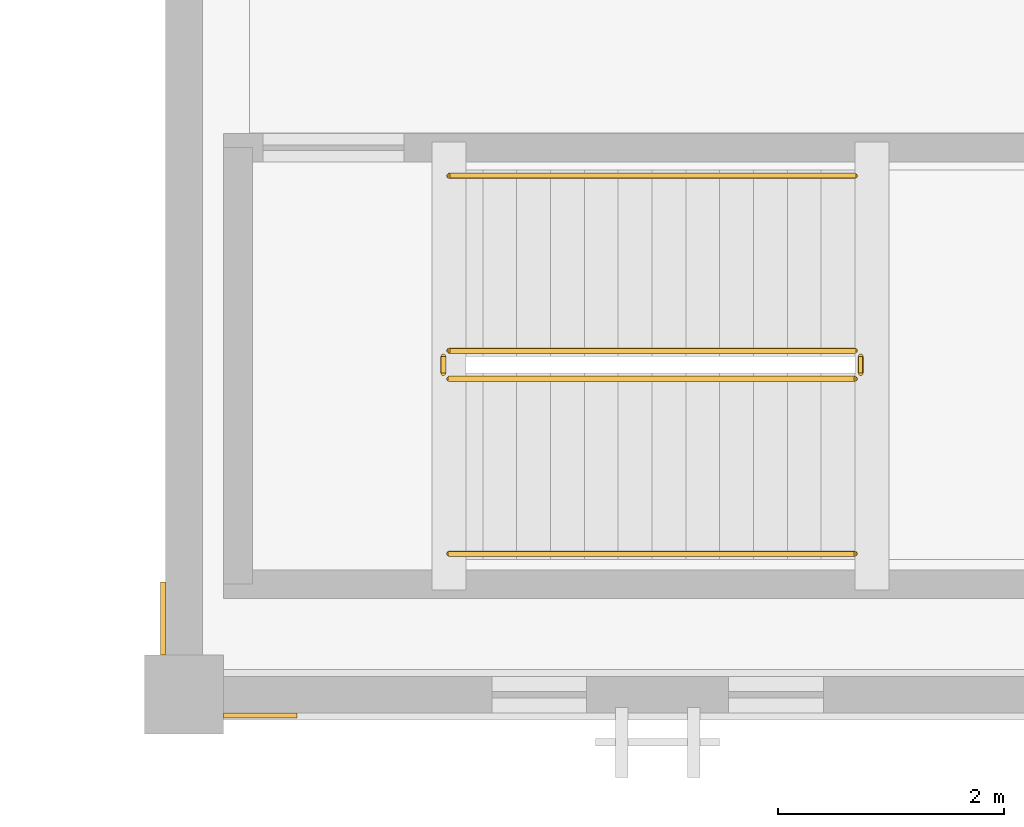
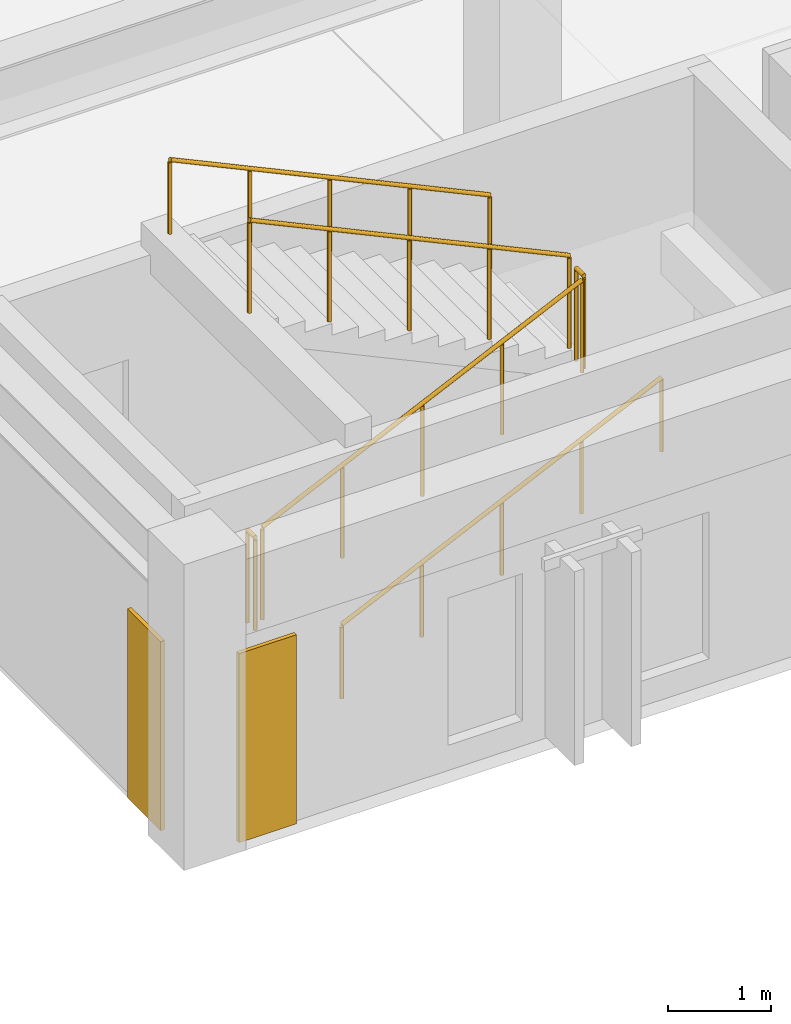
# One storey, part 110 of 118: 6 railings, 2 coverings.
"""IFC4 building model written with IfcOpenShell, lengths in metres."""

from ifc_helpers import new_model, si_unit, direction, frame, origin, origin_2d, place, context, subcontext, project, spatial, polyline, circle, outline, extrude, material, layer, layer_set, type_object, element, save


model = new_model("IFC4")

# Units and contexts
model_context = context("Model", 3, precision=1e-05, world=origin(), true_north=direction((0.0, 1.0)))
body_context = subcontext(model_context, "Body", "Model", "MODEL_VIEW")
ifc_project = project(units=[si_unit("LENGTHUNIT", "METRE"), si_unit("AREAUNIT", "SQUARE_METRE"), si_unit("VOLUMEUNIT", "CUBIC_METRE"), si_unit("PLANEANGLEUNIT", "RADIAN"), si_unit("MASSUNIT", "GRAM", prefix="KILO")], contexts=[model_context])

# Site, building, storey
site_placement = place(None, origin())
site = spatial("IfcSite", under=ifc_project, at=site_placement, CompositionType="ELEMENT")
building_placement = place(site_placement, origin())
building = spatial("IfcBuilding", under=site, at=building_placement, Name="Cumbredor Promenade Congress Hotel", CompositionType="ELEMENT")
storey_placement = place(building_placement, frame((0.0, 0.0, 3.919921875)))
storey = spatial("IfcBuildingStorey", under=building, at=storey_placement, Name="L01", CompositionType="ELEMENT", Elevation=3.919921875)

# Coverings
ifc_material_1 = material(Name="Precast concrete C40/50", Category="concrete")
ifc_layer = layer(ifc_material_1, 0.044921875, Name="Precast concrete C40/50", Category="concrete")
ifc_layer_set = layer_set([ifc_layer], Name="Precast concrete C40/50")
covering_type = type_object("IfcCoveringType", Name="Board-Formed Architectural Cladding Panel 45mm", PredefinedType="CLADDING", material=ifc_layer_set)
covering_1_placement = place(storey_placement, origin())
element("IfcCovering", 1, at=covering_1_placement, inside=storey, type_object=covering_type, Name="L01 Facade Stone Cladding Pier 054", PredefinedType="CLADDING", context=body_context, shape_type="SweptSolid", body=[
    extrude(outline(polyline([(143.15087890625, 8.237548828125), (143.801025390625, 8.237548828125), (143.801025390625, 8.1923828125), (143.15087890625, 8.1923828125), (143.15087890625, 8.237548828125)])), origin(), (0.0, 0.0, 1.0), 2.25),
])
covering_2_placement = place(storey_placement, origin())
element("IfcCovering", 2, at=covering_2_placement, inside=storey, type_object=covering_type, Name="L01 Facade Stone Cladding Pier 058", PredefinedType="CLADDING", context=body_context, shape_type="SweptSolid", body=[
    extrude(outline(polyline([(142.637451171875, 8.7509765625), (142.637451171875, 9.40087890625), (142.592529296875, 9.40087890625), (142.592529296875, 8.7509765625), (142.637451171875, 8.7509765625)])), origin(), (0.0, 0.0, 1.0), 2.25),
])

# Railings
ifc_material_2 = material(Name="Brushed stainless steel", Category="steel")
railing_type_1 = type_object("IfcRailingType", Name="Interior Void & Stair Guardrail GR-1100", PredefinedType="GUARDRAIL", material=ifc_material_2)
railing_1_placement = place(storey_placement, frame((145.14990234375, 11.199951171875, 0.14013671875)))
element("IfcRailing", 3, at=railing_1_placement, inside=storey, type_object=railing_type_1, Name="L01 ST-08 stair guard 1", PredefinedType="GUARDRAIL", context=body_context, shape_type="SweptSolid", body=[
    extrude(circle(Radius=0.02392578125, at=origin_2d()), frame((0.0, 0.0, 1.09619140625), z_axis=(0.906194129559, 0.0, 0.422861915468), x_axis=(0.0, 1.0, 0.0)), (0.0, 0.0, 1.0), 3.97265625),
    extrude(circle(Radius=0.02099609375, at=origin_2d()), origin(), (0.0, 0.0, 1.0), 1.072021484375),
    extrude(circle(Radius=0.02099609375, at=origin_2d()), frame((0.89990234375, 0.0, 0.419921875)), (0.0, 0.0, 1.0), 1.072021484375),
    extrude(circle(Radius=0.02099609375, at=origin_2d()), frame((1.800048828125, 0.0, 0.83984375)), (0.0, 0.0, 1.0), 1.072021484375),
    extrude(circle(Radius=0.02099609375, at=origin_2d()), frame((2.7001953125, 0.0, 1.260009765625)), (0.0, 0.0, 1.0), 1.072021484375),
    extrude(circle(Radius=0.02099609375, at=origin_2d()), frame((3.60009765625, 0.0, 1.679931640625)), (0.0, 0.0, 1.0), 1.072021484375),
])
railing_2_placement = place(storey_placement, frame((148.800048828125, 11.25, 1.820068359375)))
element("IfcRailing", 4, at=railing_2_placement, inside=storey, type_object=railing_type_1, Name="L01 ST-08 stair guard 2", PredefinedType="GUARDRAIL", context=body_context, shape_type="SweptSolid", body=[
    extrude(circle(Radius=0.02392578125, at=origin_2d()), frame((0.0, 0.0, 1.09619140625), z_axis=(0.0, 1.0, 0.0), x_axis=(-1.0, 0.0, 0.0)), (0.0, 0.0, 1.0), 0.14990234375),
    extrude(circle(Radius=0.02099609375, at=origin_2d()), origin(), (0.0, 0.0, 1.0), 1.072021484375),
    extrude(circle(Radius=0.02099609375, at=origin_2d()), frame((0.0, 0.14990234375, 0.0)), (0.0, 0.0, 1.0), 1.072021484375),
])
railing_3_placement = place(storey_placement, frame((148.75, 11.449951171875, 1.9599609375)))
element("IfcRailing", 5, at=railing_3_placement, inside=storey, type_object=railing_type_1, Name="L01 ST-08 stair guard 3", PredefinedType="GUARDRAIL", context=body_context, shape_type="SweptSolid", body=[
    extrude(circle(Radius=0.02392578125, at=origin_2d()), frame((0.0, 0.0, 1.09619140625), z_axis=(-0.906170580071, 0.0, 0.422912378411), x_axis=(0.0, -1.0, 0.0)), (0.0, 0.0, 1.0), 3.972900390625),
    extrude(circle(Radius=0.02099609375, at=origin_2d()), origin(), (0.0, 0.0, 1.0), 1.072021484375),
    extrude(circle(Radius=0.02099609375, at=origin_2d()), frame((-0.89990234375, 0.0, 0.419921875)), (0.0, 0.0, 1.0), 1.072021484375),
    extrude(circle(Radius=0.02099609375, at=origin_2d()), frame((-1.800048828125, 0.0, 0.840087890625)), (0.0, 0.0, 1.0), 1.072021484375),
    extrude(circle(Radius=0.02099609375, at=origin_2d()), frame((-2.7001953125, 0.0, 1.26025390625)), (0.0, 0.0, 1.0), 1.072021484375),
    extrude(circle(Radius=0.02099609375, at=origin_2d()), frame((-3.60009765625, 0.0, 1.68017578125)), (0.0, 0.0, 1.0), 1.072021484375),
])
railing_4_placement = place(storey_placement, frame((145.10009765625, 11.25, 0.0)))
element("IfcRailing", 6, at=railing_4_placement, inside=storey, type_object=railing_type_1, Name="L01 ST-08 stair guard 4", PredefinedType="GUARDRAIL", context=body_context, shape_type="SweptSolid", body=[
    extrude(circle(Radius=0.02392578125, at=origin_2d()), frame((0.0, 0.0, 1.09619140625), z_axis=(0.0, 1.0, 0.0), x_axis=(-1.0, 0.0, 0.0)), (0.0, 0.0, 1.0), 0.14990234375),
    extrude(circle(Radius=0.02099609375, at=origin_2d()), origin(), (0.0, 0.0, 1.0), 1.072021484375),
    extrude(circle(Radius=0.02099609375, at=origin_2d()), frame((0.0, 0.14990234375, 0.0)), (0.0, 0.0, 1.0), 1.072021484375),
])
railing_type_2 = type_object("IfcRailingType", Name="Stair Pitch Handrail HR-900", PredefinedType="HANDRAIL", material=ifc_material_2)
railing_5_placement = place(storey_placement, frame((145.14990234375, 9.64990234375, 0.14013671875)))
element("IfcRailing", 7, at=railing_5_placement, inside=storey, type_object=railing_type_2, Name="L01 ST-08 stair handrail 1", PredefinedType="HANDRAIL", context=body_context, shape_type="SweptSolid", body=[
    extrude(circle(Radius=0.02392578125, at=origin_2d()), frame((0.0, 0.0, 0.8759765625), z_axis=(0.906194129559, 0.0, 0.422861915468), x_axis=(0.0, 1.0, 0.0)), (0.0, 0.0, 1.0), 3.97265625),
    extrude(circle(Radius=0.02099609375, at=origin_2d()), origin(), (0.0, 0.0, 1.0), 0.851806640625),
    extrude(circle(Radius=0.02099609375, at=origin_2d()), frame((0.89990234375, 0.0, 0.419921875)), (0.0, 0.0, 1.0), 0.851806640625),
    extrude(circle(Radius=0.02099609375, at=origin_2d()), frame((1.800048828125, 0.0, 0.83984375)), (0.0, 0.0, 1.0), 0.851806640625),
    extrude(circle(Radius=0.02099609375, at=origin_2d()), frame((2.7001953125, 0.0, 1.260009765625)), (0.0, 0.0, 1.0), 0.851806640625),
    extrude(circle(Radius=0.02099609375, at=origin_2d()), frame((3.60009765625, 0.0, 1.679931640625)), (0.0, 0.0, 1.0), 0.851806640625),
])
railing_6_placement = place(storey_placement, frame((148.75, 13.0, 1.9599609375)))
element("IfcRailing", 8, at=railing_6_placement, inside=storey, type_object=railing_type_2, Name="L01 ST-08 stair handrail 2", PredefinedType="HANDRAIL", context=body_context, shape_type="SweptSolid", body=[
    extrude(circle(Radius=0.02392578125, at=origin_2d()), frame((0.0, 0.0, 0.8759765625), z_axis=(-0.906170580071, 0.0, 0.422912378411), x_axis=(0.0, -1.0, 0.0)), (0.0, 0.0, 1.0), 3.972900390625),
    extrude(circle(Radius=0.02099609375, at=origin_2d()), origin(), (0.0, 0.0, 1.0), 0.851806640625),
    extrude(circle(Radius=0.02099609375, at=origin_2d()), frame((-0.89990234375, 0.0, 0.419921875)), (0.0, 0.0, 1.0), 0.851806640625),
    extrude(circle(Radius=0.02099609375, at=origin_2d()), frame((-1.800048828125, 0.0, 0.840087890625)), (0.0, 0.0, 1.0), 0.851806640625),
    extrude(circle(Radius=0.02099609375, at=origin_2d()), frame((-2.7001953125, 0.0, 1.26025390625)), (0.0, 0.0, 1.0), 0.851806640625),
    extrude(circle(Radius=0.02099609375, at=origin_2d()), frame((-3.60009765625, 0.0, 1.68017578125)), (0.0, 0.0, 1.0), 0.851806640625),
])

save(model, "model.ifc")
